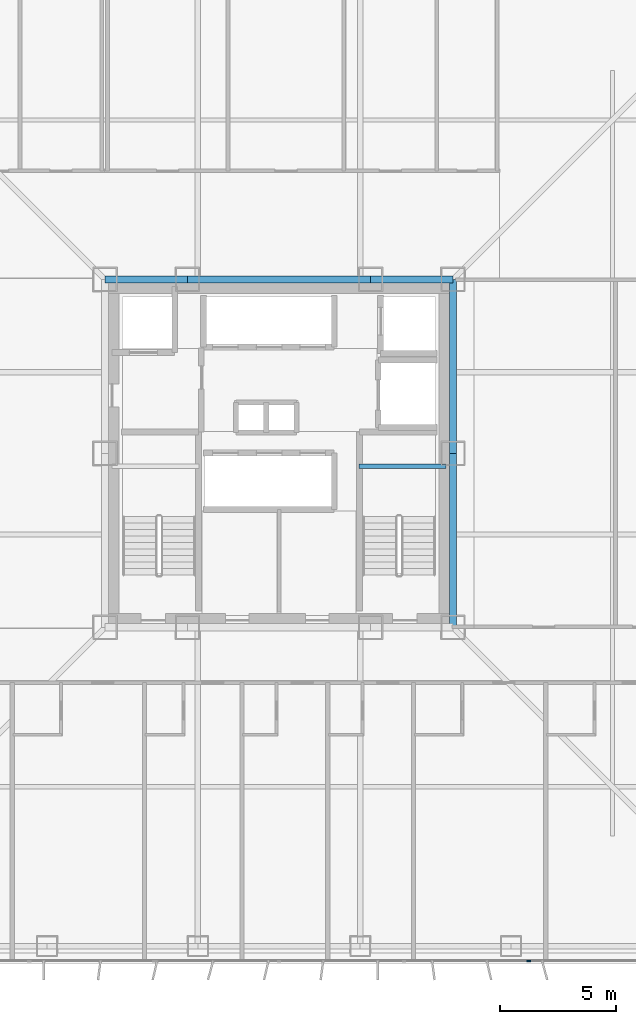
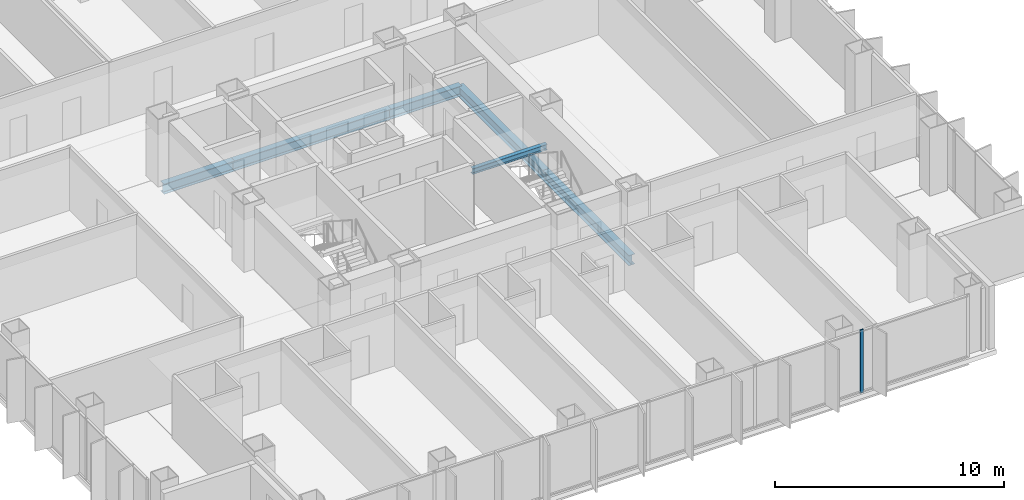
# One storey, part 6 of 18: 6 beams, 1 member, 1 element without a shape of its own.
"""IFC4 building model written with IfcOpenShell, lengths in metres."""

from ifc_helpers import new_model, si_unit, direction, frame, origin, origin_2d, place, context, subcontext, project, spatial, rectangle, i_section, extrude, material, layer, layer_set, material_profile, profile_set, type_object, element, aggregate, save


model = new_model("IFC4")

# Units and contexts
model_context = context("Model", 3, precision=1e-05, world=origin(), true_north=direction((0.0, 1.0)))
body_context = subcontext(model_context, "Body", "Model", "MODEL_VIEW")
ifc_project = project(units=[si_unit("LENGTHUNIT", "METRE"), si_unit("AREAUNIT", "SQUARE_METRE"), si_unit("VOLUMEUNIT", "CUBIC_METRE"), si_unit("PLANEANGLEUNIT", "RADIAN"), si_unit("MASSUNIT", "GRAM", prefix="KILO")], contexts=[model_context])

# Site, building, storey
site_placement = place(None, origin())
site = spatial("IfcSite", under=ifc_project, at=site_placement, CompositionType="ELEMENT")
building_placement = place(site_placement, origin())
building = spatial("IfcBuilding", under=site, at=building_placement, Name="Trevonay Congress Spire", CompositionType="ELEMENT")
storey_placement = place(building_placement, frame((0.0, 0.0, 148.0)))
storey = spatial("IfcBuildingStorey", under=building, at=storey_placement, Name="L38", CompositionType="ELEMENT", Elevation=148.0)

# Beams
ifc_material_1 = material(Name="Steel ASTM A572 Grade 50", Category="steel")
ifc_material_profile_1 = material_profile(ifc_material_1, i_section(OverallWidth=0.31201171875, OverallDepth=0.54296875, WebThickness=0.0126953125, FlangeThickness=0.020263671875, FilletRadius=0.014892578125, at=origin_2d()), Name="W530x150")
ifc_profile_set_1 = profile_set([ifc_material_profile_1], Name="Steel ASTM A572 Grade 50")
beam_type_1 = type_object("IfcBeamType", Name="BM-GIRD-W530X150", PredefinedType="BEAM", material=ifc_profile_set_1)
beam_1_placement = place(storey_placement, frame((-7.5, 7.5, -0.511474609375), z_axis=(1.0, 0.0, 0.0), x_axis=(0.0, 1.0, 0.0)))
element("IfcBeam", 1, at=beam_1_placement, inside=storey, type_object=beam_type_1, Name="L38 structural beam BM-L38-CR-N1", PredefinedType="BEAM", context=body_context, shape_type="SweptSolid", body=[
    extrude(i_section(OverallWidth=0.31201171875, OverallDepth=0.54296875, WebThickness=0.0126953125, FlangeThickness=0.020263671875, FilletRadius=0.014892578125, at=origin_2d()), origin(), (0.0, 0.0, 1.0), 3.550048828125),
])
beam_2_placement = place(storey_placement, frame((-3.949951171875, 7.5, -0.511474609375), z_axis=(1.0, 0.0, 0.0), x_axis=(0.0, 1.0, 0.0)))
element("IfcBeam", 2, at=beam_2_placement, inside=storey, type_object=beam_type_1, Name="L38 structural beam BM-L38-CR-N2", PredefinedType="BEAM", context=body_context, shape_type="SweptSolid", body=[
    extrude(i_section(OverallWidth=0.31201171875, OverallDepth=0.54296875, WebThickness=0.0126953125, FlangeThickness=0.020263671875, FilletRadius=0.014892578125, at=origin_2d()), origin(), (0.0, 0.0, 1.0), 7.89990234375),
])
beam_3_placement = place(storey_placement, frame((3.949951171875, 7.5, -0.511474609375), z_axis=(1.0, 0.0, 0.0), x_axis=(0.0, 1.0, 0.0)))
element("IfcBeam", 3, at=beam_3_placement, inside=storey, type_object=beam_type_1, Name="L38 structural beam BM-L38-CR-N3", PredefinedType="BEAM", context=body_context, shape_type="SweptSolid", body=[
    extrude(i_section(OverallWidth=0.31201171875, OverallDepth=0.54296875, WebThickness=0.0126953125, FlangeThickness=0.020263671875, FilletRadius=0.014892578125, at=origin_2d()), origin(), (0.0, 0.0, 1.0), 3.550048828125),
])
for number, where, z_axis, x_axis, name in (
    (4, (7.5, -7.5, -0.511474609375), (0.0, 1.0, 0.0), (-1.0, 0.0, 0.0), "L38 structural beam BM-L38-CR-E1"),
    (5, (7.5, 0.0, -0.511474609375), (0.0, 1.0, 0.0), (-1.0, 0.0, 0.0), "L38 structural beam BM-L38-CR-E2"),
):
    element("IfcBeam", number, at=place(storey_placement, frame(where, z_axis=z_axis, x_axis=x_axis)), inside=storey, type_object=beam_type_1, Name=name, PredefinedType="BEAM", context=body_context, shape_type="SweptSolid", body=[
        extrude(i_section(OverallWidth=0.31201171875, OverallDepth=0.54296875, WebThickness=0.0126953125, FlangeThickness=0.020263671875, FilletRadius=0.014892578125, at=origin_2d()), origin(), (0.0, 0.0, 1.0), 7.5),
    ])

# Curtain wall, member
ifc_material_2 = material(Name="Pale Anodised Aluminium EN AW-6063-T6", Category="aluminium")
ifc_layer = layer(ifc_material_2, 0.175048828125, Name="Pale Anodised Aluminium EN AW-6063-T6")
ifc_layer_set = layer_set([ifc_layer], Name="Pale Anodised Aluminium EN AW-6063-T6")
curtain_wall_type = type_object("IfcCurtainWallType", Name="CW-SYS03-CONGRESS-PALE-METAL", PredefinedType="NOTDEFINED", material=ifc_layer_set)
curtain_wall_placement = place(storey_placement, origin())
curtain_wall = element("IfcCurtainWall", 6, at=curtain_wall_placement, inside=storey, type_object=curtain_wall_type, Name="L38 S unitised curtain wall", PredefinedType="NOTDEFINED")
ifc_material_profile_2 = material_profile(ifc_material_2, rectangle(XDim=0.06005859375, YDim=0.159912109375, at=origin_2d()), Name="CW-MULLION-160-ALUMINIUM")
ifc_profile_set_2 = profile_set([ifc_material_profile_2], Name="Pale Anodised Aluminium EN AW-6063-T6")
member_type = type_object("IfcMemberType", Name="CW-MULLION-160-ALUMINIUM", PredefinedType="MULLION", material=ifc_profile_set_2)
member_placement = place(storey_placement, frame((10.7666015625, -21.8798828125, 0.0), z_axis=(0.0, 0.0, 1.0), x_axis=(0.0, 1.0, 0.0)))
member = element("IfcMember", 7, at=member_placement, type_object=member_type, Name="CW03 mullion 6", PredefinedType="MULLION", context=body_context, shape_type="SweptSolid", body=[
    extrude(rectangle(XDim=0.06005859375, YDim=0.159912109375, at=origin_2d()), origin(), (0.0, 0.0, 1.0), 3.360107421875),
])
aggregate(curtain_wall, [member])

# Beam
ifc_material_profile_3 = material_profile(ifc_material_1, i_section(OverallWidth=0.2041015625, OverallDepth=0.305908203125, WebThickness=0.008544921875, FlangeThickness=0.0146484375, FilletRadius=0.010986328125, at=origin_2d()), Name="W310x67")
ifc_profile_set_3 = profile_set([ifc_material_profile_3], Name="Steel ASTM A572 Grade 50")
beam_type_2 = type_object("IfcBeamType", Name="LN-CORE-W310X67", PredefinedType="LINTEL", material=ifc_profile_set_3)
beam_4_placement = place(storey_placement, frame((3.449951171875, -0.550048828125, 1.447021484375), z_axis=(1.0, 0.0, 0.0), x_axis=(0.0, 1.0, 0.0)))
element("IfcBeam", 8, at=beam_4_placement, inside=storey, type_object=beam_type_2, Name="L38 structural beam BM-L38-HL-ST2", PredefinedType="LINTEL", context=body_context, shape_type="SweptSolid", body=[
    extrude(i_section(OverallWidth=0.2041015625, OverallDepth=0.305908203125, WebThickness=0.008544921875, FlangeThickness=0.0146484375, FilletRadius=0.010986328125, at=origin_2d()), origin(), (0.0, 0.0, 1.0), 3.75),
])

save(model, "model.ifc")
